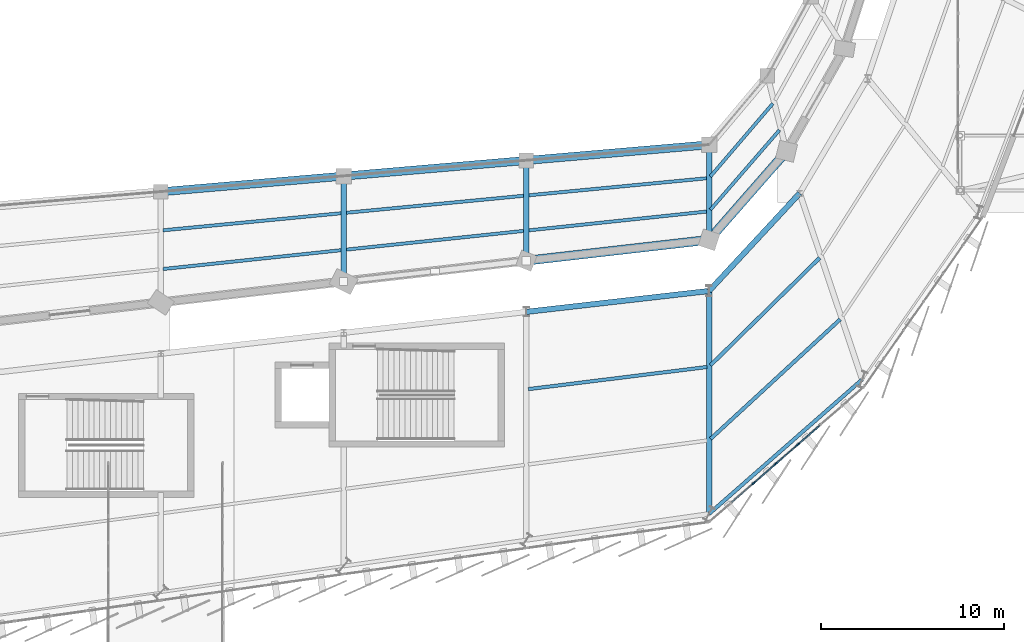
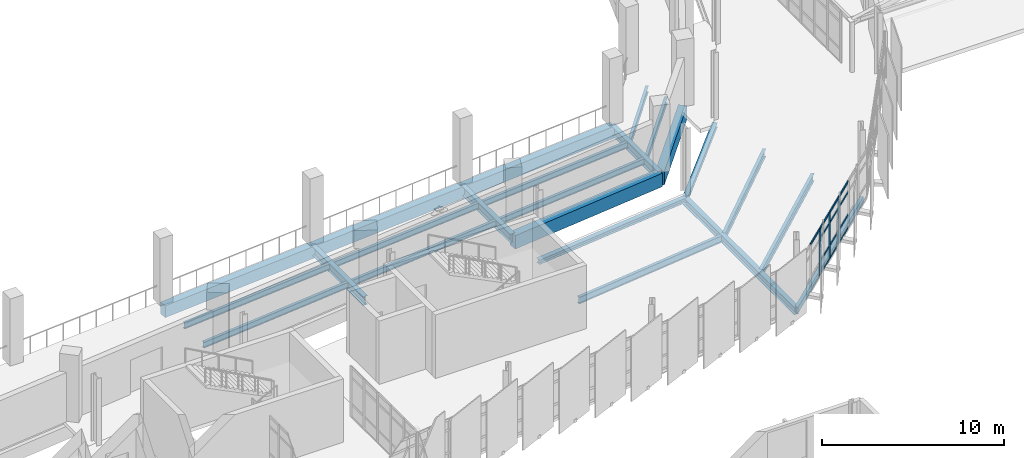
# One storey, part 65 of 125: 23 beams, 16 members, 1 element without a shape of its own.
"""IFC4 building model written with IfcOpenShell, lengths in metres."""

from ifc_helpers import new_model, si_unit, direction, frame, origin, origin_2d, place, context, subcontext, project, spatial, rectangle, hollow_rectangle, i_section, extrude, material, layer, layer_set, material_profile, profile_set, type_object, element, aggregate, save


model = new_model("IFC4")

# Units and contexts
model_context = context("Model", 3, precision=1e-05, world=origin(), true_north=direction((0.0, 1.0)))
body_context = subcontext(model_context, "Body", "Model", "MODEL_VIEW")
ifc_project = project(units=[si_unit("LENGTHUNIT", "METRE"), si_unit("AREAUNIT", "SQUARE_METRE"), si_unit("VOLUMEUNIT", "CUBIC_METRE"), si_unit("PLANEANGLEUNIT", "RADIAN"), si_unit("MASSUNIT", "GRAM", prefix="KILO")], contexts=[model_context])

# Site, building, storey
site_placement = place(None, origin())
site = spatial("IfcSite", under=ifc_project, at=site_placement, CompositionType="ELEMENT")
building_placement = place(site_placement, origin())
building = spatial("IfcBuilding", under=site, at=building_placement, Name="Sohan Crest Arena", CompositionType="ELEMENT")
storey_placement = place(building_placement, frame((0.0, 0.0, 9.0)))
storey = spatial("IfcBuildingStorey", under=building, at=storey_placement, Name="L02", CompositionType="ELEMENT", Elevation=9.0)

# Curtain wall, members
ifc_material_1 = material(Name="Thermally broken anodised aluminium", Category="aluminium")
ifc_layer = layer(ifc_material_1, 0.199951171875, Name="Thermally broken anodised aluminium")
ifc_layer_set = layer_set([ifc_layer], Name="Thermally broken anodised aluminium")
curtain_wall_type = type_object("IfcCurtainWallType", Name="ARC-CW02", PredefinedType="NOTDEFINED", material=ifc_layer_set)
curtain_wall_placement = place(storey_placement, origin())
curtain_wall = element("IfcCurtainWall", 1, at=curtain_wall_placement, inside=storey, type_object=curtain_wall_type, Name="Unitised curtain wall CW-067", PredefinedType="NOTDEFINED")
ifc_material_profile_1 = material_profile(ifc_material_1, rectangle(XDim=0.074951171875, YDim=0.219970703125, at=origin_2d()), Name="ALU-MULL 75x220")
ifc_profile_set_1 = profile_set([ifc_material_profile_1], Name="Thermally broken anodised aluminium")
member_type_1 = type_object("IfcMemberType", Name="ARC-CW-ML04", PredefinedType="MULLION", material=ifc_profile_set_1)
member_1_placement = place(storey_placement, frame((170.431396484375, 41.672119140625, 0.0), z_axis=(0.0, 0.0, 1.0), x_axis=(-0.657538815294, 0.753420670265, 0.0)))
member_1 = element("IfcMember", 2, at=member_1_placement, type_object=member_type_1, Name="CW-067 mullion 3", PredefinedType="MULLION", context=body_context, shape_type="SweptSolid", body=[
    extrude(rectangle(XDim=0.074951171875, YDim=0.219970703125, at=origin_2d()), origin(), (0.0, 0.0, 1.0), 3.1201171875),
])
member_2_placement = place(storey_placement, frame((171.647216796875, 42.73291015625, 0.0), z_axis=(0.0, 0.0, 1.0), x_axis=(-0.657538815294, 0.753420670265, 0.0)))
member_2 = element("IfcMember", 3, at=member_2_placement, type_object=member_type_1, Name="CW-067 mullion 4", PredefinedType="MULLION", context=body_context, shape_type="SweptSolid", body=[
    extrude(rectangle(XDim=0.074951171875, YDim=0.219970703125, at=origin_2d()), origin(), (0.0, 0.0, 1.0), 3.1201171875),
])
member_3_placement = place(storey_placement, frame((172.86279296875, 43.7939453125, 0.0), z_axis=(0.0, 0.0, 1.0), x_axis=(-0.657538815294, 0.753420670265, 0.0)))
member_3 = element("IfcMember", 4, at=member_3_placement, type_object=member_type_1, Name="CW-067 mullion 5", PredefinedType="MULLION", context=body_context, shape_type="SweptSolid", body=[
    extrude(rectangle(XDim=0.074951171875, YDim=0.219970703125, at=origin_2d()), origin(), (0.0, 0.0, 1.0), 3.1201171875),
])
ifc_material_profile_2 = material_profile(ifc_material_1, rectangle(XDim=0.06494140625, YDim=0.139892578125, at=origin_2d()), Name="ALU-TRAN 65x140")
ifc_profile_set_2 = profile_set([ifc_material_profile_2], Name="Thermally broken anodised aluminium")
member_type_2 = type_object("IfcMemberType", Name="ARC-CW-TR02", PredefinedType="USERDEFINED", material=ifc_profile_set_2)
member_4_placement = place(storey_placement, frame((169.243896484375, 40.6357421875, 3.08740234375), z_axis=(0.753401788907, 0.657560449291, 0.0), x_axis=(-0.657560449291, 0.753401788907, 0.0)))
member_4 = element("IfcMember", 5, at=member_4_placement, type_object=member_type_2, Name="CW-067 transom 2.4", ObjectType="TRANSOM", PredefinedType="USERDEFINED", context=body_context, shape_type="SweptSolid", body=[
    extrude(rectangle(XDim=0.06494140625, YDim=0.139892578125, at=origin_2d()), origin(), (0.0, 0.0, 1.0), 1.53857421875),
])
member_5_placement = place(storey_placement, frame((170.459716796875, 41.69677734375, 0.032470703125), z_axis=(0.75348040181, 0.65747036746, 0.0), x_axis=(-0.65747036746, 0.75348040181, 0.0)))
member_5 = element("IfcMember", 6, at=member_5_placement, type_object=member_type_2, Name="CW-067 transom 3.1", ObjectType="TRANSOM", PredefinedType="USERDEFINED", context=body_context, shape_type="SweptSolid", body=[
    extrude(rectangle(XDim=0.06494140625, YDim=0.139892578125, at=origin_2d()), origin(), (0.0, 0.0, 1.0), 1.538330078125),
])
member_6_placement = place(storey_placement, frame((170.459716796875, 41.69677734375, 0.89990234375), z_axis=(0.75348040181, 0.65747036746, 0.0), x_axis=(-0.65747036746, 0.75348040181, 0.0)))
member_6 = element("IfcMember", 7, at=member_6_placement, type_object=member_type_2, Name="CW-067 transom 3.2", ObjectType="TRANSOM", PredefinedType="USERDEFINED", context=body_context, shape_type="SweptSolid", body=[
    extrude(rectangle(XDim=0.06494140625, YDim=0.139892578125, at=origin_2d()), origin(), (0.0, 0.0, 1.0), 1.538330078125),
])
member_7_placement = place(storey_placement, frame((170.459716796875, 41.69677734375, 2.419921875), z_axis=(0.75348040181, 0.65747036746, 0.0), x_axis=(-0.65747036746, 0.75348040181, 0.0)))
member_7 = element("IfcMember", 8, at=member_7_placement, type_object=member_type_2, Name="CW-067 transom 3.3", ObjectType="TRANSOM", PredefinedType="USERDEFINED", context=body_context, shape_type="SweptSolid", body=[
    extrude(rectangle(XDim=0.06494140625, YDim=0.139892578125, at=origin_2d()), origin(), (0.0, 0.0, 1.0), 1.538330078125),
])
member_8_placement = place(storey_placement, frame((170.459716796875, 41.69677734375, 3.08740234375), z_axis=(0.75348040181, 0.65747036746, 0.0), x_axis=(-0.65747036746, 0.75348040181, 0.0)))
member_8 = element("IfcMember", 9, at=member_8_placement, type_object=member_type_2, Name="CW-067 transom 3.4", ObjectType="TRANSOM", PredefinedType="USERDEFINED", context=body_context, shape_type="SweptSolid", body=[
    extrude(rectangle(XDim=0.06494140625, YDim=0.139892578125, at=origin_2d()), origin(), (0.0, 0.0, 1.0), 1.538330078125),
])
member_9_placement = place(storey_placement, frame((171.67529296875, 42.757568359375, 0.032470703125), z_axis=(0.753470386587, 0.657481845024, 0.0), x_axis=(-0.657481845024, 0.753470386587, 0.0)))
member_9 = element("IfcMember", 10, at=member_9_placement, type_object=member_type_2, Name="CW-067 transom 4.1", ObjectType="TRANSOM", PredefinedType="USERDEFINED", context=body_context, shape_type="SweptSolid", body=[
    extrude(rectangle(XDim=0.06494140625, YDim=0.139892578125, at=origin_2d()), origin(), (0.0, 0.0, 1.0), 1.538818359375),
])
member_10_placement = place(storey_placement, frame((171.67529296875, 42.757568359375, 0.89990234375), z_axis=(0.753470386587, 0.657481845024, 0.0), x_axis=(-0.657481845024, 0.753470386587, 0.0)))
member_10 = element("IfcMember", 11, at=member_10_placement, type_object=member_type_2, Name="CW-067 transom 4.2", ObjectType="TRANSOM", PredefinedType="USERDEFINED", context=body_context, shape_type="SweptSolid", body=[
    extrude(rectangle(XDim=0.06494140625, YDim=0.139892578125, at=origin_2d()), origin(), (0.0, 0.0, 1.0), 1.538818359375),
])
member_11_placement = place(storey_placement, frame((171.67529296875, 42.757568359375, 2.419921875), z_axis=(0.753470386587, 0.657481845024, 0.0), x_axis=(-0.657481845024, 0.753470386587, 0.0)))
member_11 = element("IfcMember", 12, at=member_11_placement, type_object=member_type_2, Name="CW-067 transom 4.3", ObjectType="TRANSOM", PredefinedType="USERDEFINED", context=body_context, shape_type="SweptSolid", body=[
    extrude(rectangle(XDim=0.06494140625, YDim=0.139892578125, at=origin_2d()), origin(), (0.0, 0.0, 1.0), 1.538818359375),
])
member_12_placement = place(storey_placement, frame((171.67529296875, 42.757568359375, 3.08740234375), z_axis=(0.753470386587, 0.657481845024, 0.0), x_axis=(-0.657481845024, 0.753470386587, 0.0)))
member_12 = element("IfcMember", 13, at=member_12_placement, type_object=member_type_2, Name="CW-067 transom 4.4", ObjectType="TRANSOM", PredefinedType="USERDEFINED", context=body_context, shape_type="SweptSolid", body=[
    extrude(rectangle(XDim=0.06494140625, YDim=0.139892578125, at=origin_2d()), origin(), (0.0, 0.0, 1.0), 1.538818359375),
])
member_13_placement = place(storey_placement, frame((172.89111328125, 43.818603515625, 0.032470703125), z_axis=(0.753401788907, 0.657560449291, 0.0), x_axis=(-0.657560449291, 0.753401788907, 0.0)))
member_13 = element("IfcMember", 14, at=member_13_placement, type_object=member_type_2, Name="CW-067 transom 5.1", ObjectType="TRANSOM", PredefinedType="USERDEFINED", context=body_context, shape_type="SweptSolid", body=[
    extrude(rectangle(XDim=0.06494140625, YDim=0.139892578125, at=origin_2d()), origin(), (0.0, 0.0, 1.0), 1.53857421875),
])
member_14_placement = place(storey_placement, frame((172.89111328125, 43.818603515625, 0.89990234375), z_axis=(0.753401788907, 0.657560449291, 0.0), x_axis=(-0.657560449291, 0.753401788907, 0.0)))
member_14 = element("IfcMember", 15, at=member_14_placement, type_object=member_type_2, Name="CW-067 transom 5.2", ObjectType="TRANSOM", PredefinedType="USERDEFINED", context=body_context, shape_type="SweptSolid", body=[
    extrude(rectangle(XDim=0.06494140625, YDim=0.139892578125, at=origin_2d()), origin(), (0.0, 0.0, 1.0), 1.53857421875),
])
member_15_placement = place(storey_placement, frame((172.89111328125, 43.818603515625, 2.419921875), z_axis=(0.753401788907, 0.657560449291, 0.0), x_axis=(-0.657560449291, 0.753401788907, 0.0)))
member_15 = element("IfcMember", 16, at=member_15_placement, type_object=member_type_2, Name="CW-067 transom 5.3", ObjectType="TRANSOM", PredefinedType="USERDEFINED", context=body_context, shape_type="SweptSolid", body=[
    extrude(rectangle(XDim=0.06494140625, YDim=0.139892578125, at=origin_2d()), origin(), (0.0, 0.0, 1.0), 1.53857421875),
])
member_16_placement = place(storey_placement, frame((172.89111328125, 43.818603515625, 3.08740234375), z_axis=(0.753401788907, 0.657560449291, 0.0), x_axis=(-0.657560449291, 0.753401788907, 0.0)))
member_16 = element("IfcMember", 17, at=member_16_placement, type_object=member_type_2, Name="CW-067 transom 5.4", ObjectType="TRANSOM", PredefinedType="USERDEFINED", context=body_context, shape_type="SweptSolid", body=[
    extrude(rectangle(XDim=0.06494140625, YDim=0.139892578125, at=origin_2d()), origin(), (0.0, 0.0, 1.0), 1.53857421875),
])
aggregate(curtain_wall, [member_1, member_2, member_3, member_4, member_5, member_6, member_7, member_8, member_9, member_10, member_11, member_12, member_13, member_14, member_15, member_16])

# Beams
ifc_material_2 = material(Name="Steel S355", Category="steel")
ifc_material_profile_3 = material_profile(ifc_material_2, i_section(OverallWidth=0.179931640625, OverallDepth=0.39990234375, WebThickness=0.008544921875, FlangeThickness=0.013427734375, at=origin_2d()), Name="IPE 400")
ifc_profile_set_3 = profile_set([ifc_material_profile_3], Name="Steel S355")
beam_type_1 = type_object("IfcBeamType", Name="STR-BM-B03", PredefinedType="JOIST", material=ifc_profile_set_3)
beam_1_placement = place(storey_placement, frame((138.10888671875, 55.51904296875, -0.449951171875), z_axis=(0.995443739336, 0.095350730547, 0.0), x_axis=(-0.095350730547, 0.995443739336, 0.0)))
element("IfcBeam", 18, at=beam_1_placement, inside=storey, type_object=beam_type_1, Name="Structural beam J-L02-0424", PredefinedType="JOIST", context=body_context, shape_type="SweptSolid", body=[
    extrude(i_section(OverallWidth=0.179931640625, OverallDepth=0.39990234375, WebThickness=0.008544921875, FlangeThickness=0.013427734375, at=origin_2d()), origin(), (0.0, 0.0, 1.0), 9.826904296875),
])
beam_2_placement = place(storey_placement, frame((138.10888671875, 53.39990234375, -0.449951171875), z_axis=(0.994458024707, 0.105134376377, 0.0), x_axis=(-0.105134376377, 0.994458024707, 0.0)))
element("IfcBeam", 19, at=beam_2_placement, inside=storey, type_object=beam_type_1, Name="Structural beam J-L02-0425", PredefinedType="JOIST", context=body_context, shape_type="SweptSolid", body=[
    extrude(i_section(OverallWidth=0.179931640625, OverallDepth=0.39990234375, WebThickness=0.008544921875, FlangeThickness=0.013427734375, at=origin_2d()), origin(), (0.0, 0.0, 1.0), 9.836669921875),
])
beam_3_placement = place(storey_placement, frame((148.10888671875, 56.47607421875, -0.449951171875), z_axis=(0.995443739336, 0.095350730547, 0.0), x_axis=(-0.095350730547, 0.995443739336, 0.0)))
element("IfcBeam", 20, at=beam_3_placement, inside=storey, type_object=beam_type_1, Name="Structural beam J-L02-0446", PredefinedType="JOIST", context=body_context, shape_type="SweptSolid", body=[
    extrude(i_section(OverallWidth=0.179931640625, OverallDepth=0.39990234375, WebThickness=0.008544921875, FlangeThickness=0.013427734375, at=origin_2d()), origin(), (0.0, 0.0, 1.0), 9.826904296875),
])
beam_4_placement = place(storey_placement, frame((148.10888671875, 54.4580078125, -0.449951171875), z_axis=(0.994470991784, 0.105011649352, 0.0), x_axis=(-0.105011649352, 0.994470991784, 0.0)))
element("IfcBeam", 21, at=beam_4_placement, inside=storey, type_object=beam_type_1, Name="Structural beam J-L02-0447", PredefinedType="JOIST", context=body_context, shape_type="SweptSolid", body=[
    extrude(i_section(OverallWidth=0.179931640625, OverallDepth=0.39990234375, WebThickness=0.008544921875, FlangeThickness=0.013427734375, at=origin_2d()), origin(), (0.0, 0.0, 1.0), 9.836669921875),
])
beam_5_placement = place(storey_placement, frame((158.10888671875, 57.43310546875, -0.449951171875), z_axis=(0.995443739336, 0.095350730547, 0.0), x_axis=(-0.095350730547, 0.995443739336, 0.0)))
element("IfcBeam", 22, at=beam_5_placement, inside=storey, type_object=beam_type_1, Name="Structural beam J-L02-0468", PredefinedType="JOIST", context=body_context, shape_type="SweptSolid", body=[
    extrude(i_section(OverallWidth=0.179931640625, OverallDepth=0.39990234375, WebThickness=0.008544921875, FlangeThickness=0.013427734375, at=origin_2d()), origin(), (0.0, 0.0, 1.0), 9.826904296875),
])
beam_6_placement = place(storey_placement, frame((158.10888671875, 55.514892578125, -0.449951171875), z_axis=(0.994468399553, 0.105036195141, 0.0), x_axis=(-0.105036195141, 0.994468399553, 0.0)))
element("IfcBeam", 23, at=beam_6_placement, inside=storey, type_object=beam_type_1, Name="Structural beam J-L02-0469", PredefinedType="JOIST", context=body_context, shape_type="SweptSolid", body=[
    extrude(i_section(OverallWidth=0.179931640625, OverallDepth=0.39990234375, WebThickness=0.008544921875, FlangeThickness=0.013427734375, at=origin_2d()), origin(), (0.0, 0.0, 1.0), 9.836669921875),
])
beam_7_placement = place(storey_placement, frame((168.072021484375, 58.464111328125, -0.449951171875), z_axis=(0.65046216093, 0.759538660766, 0.0), x_axis=(-0.759538660766, 0.65046216093, 0.0)))
element("IfcBeam", 24, at=beam_7_placement, inside=storey, type_object=beam_type_1, Name="Structural beam J-L02-0490", PredefinedType="JOIST", context=body_context, shape_type="SweptSolid", body=[
    extrude(i_section(OverallWidth=0.179931640625, OverallDepth=0.39990234375, WebThickness=0.008544921875, FlangeThickness=0.013427734375, at=origin_2d()), origin(), (0.0, 0.0, 1.0), 5.253173828125),
])
beam_8_placement = place(storey_placement, frame((168.072021484375, 56.64306640625, -0.449951171875), z_axis=(0.655191219496, 0.755463080432, 0.0), x_axis=(-0.755463080432, 0.655191219496, 0.0)))
element("IfcBeam", 25, at=beam_8_placement, inside=storey, type_object=beam_type_1, Name="Structural beam J-L02-0491", PredefinedType="JOIST", context=body_context, shape_type="SweptSolid", body=[
    extrude(i_section(OverallWidth=0.179931640625, OverallDepth=0.39990234375, WebThickness=0.008544921875, FlangeThickness=0.013427734375, at=origin_2d()), origin(), (0.0, 0.0, 1.0), 5.775390625),
])
ifc_material_profile_4 = material_profile(ifc_material_2, i_section(OverallWidth=0.18994140625, OverallDepth=0.449951171875, WebThickness=0.009521484375, FlangeThickness=0.0146484375, at=origin_2d()), Name="IPE 450")
ifc_profile_set_4 = profile_set([ifc_material_profile_4], Name="Steel S355")
beam_type_2 = type_object("IfcBeamType", Name="STR-BM-B04", PredefinedType="JOIST", material=ifc_profile_set_4)
beam_9_placement = place(storey_placement, frame((158.10888671875, 46.825927734375, -0.47509765625), z_axis=(0.992409914467, 0.122973825131, 0.0), x_axis=(-0.122973825131, 0.992409914467, 0.0)))
element("IfcBeam", 26, at=beam_9_placement, inside=storey, type_object=beam_type_2, Name="Structural beam J-L02-1324", PredefinedType="JOIST", context=body_context, shape_type="SweptSolid", body=[
    extrude(i_section(OverallWidth=0.18994140625, OverallDepth=0.449951171875, WebThickness=0.009521484375, FlangeThickness=0.0146484375, at=origin_2d()), origin(), (0.0, 0.0, 1.0), 9.85693359375),
])
ifc_material_profile_5 = material_profile(ifc_material_2, i_section(OverallWidth=0.199951171875, OverallDepth=0.5, WebThickness=0.01025390625, FlangeThickness=0.01611328125, at=origin_2d()), Name="IPE 500")
ifc_profile_set_5 = profile_set([ifc_material_profile_5], Name="Steel S355")
beam_type_3 = type_object("IfcBeamType", Name="STR-BM-B05", PredefinedType="JOIST", material=ifc_profile_set_5)
beam_10_placement = place(storey_placement, frame((168.077880859375, 48.12890625, -0.5), z_axis=(0.712580271708, 0.701590590283, 0.0), x_axis=(-0.701590590283, 0.712580271708, 0.0)))
element("IfcBeam", 27, at=beam_10_placement, inside=storey, type_object=beam_type_3, Name="Structural beam J-L02-1329", PredefinedType="JOIST", context=body_context, shape_type="SweptSolid", body=[
    extrude(i_section(OverallWidth=0.199951171875, OverallDepth=0.5, WebThickness=0.01025390625, FlangeThickness=0.01611328125, at=origin_2d()), origin(), (0.0, 0.0, 1.0), 8.375244140625),
])
beam_11_placement = place(storey_placement, frame((168.0810546875, 44.10107421875, -0.5), z_axis=(0.735036224245, 0.678027837959, 0.0), x_axis=(-0.678027837959, 0.735036224245, 0.0)))
element("IfcBeam", 28, at=beam_11_placement, inside=storey, type_object=beam_type_3, Name="Structural beam J-L02-1330", PredefinedType="JOIST", context=body_context, shape_type="SweptSolid", body=[
    extrude(i_section(OverallWidth=0.199951171875, OverallDepth=0.5, WebThickness=0.01025390625, FlangeThickness=0.01611328125, at=origin_2d()), origin(), (0.0, 0.0, 1.0), 9.648681640625),
])
ifc_material_profile_6 = material_profile(ifc_material_2, i_section(OverallWidth=0.300048828125, OverallDepth=0.590087890625, WebThickness=0.012939453125, FlangeThickness=0.02490234375, at=origin_2d()), Name="HEA 600")
ifc_profile_set_6 = profile_set([ifc_material_profile_6], Name="Steel S355")
beam_type_4 = type_object("IfcBeamType", Name="STR-BM-B11", PredefinedType="BEAM", material=ifc_profile_set_6)
beam_12_placement = place(storey_placement, frame((148.0, 58.486083984375, -0.544921875), z_axis=(0.0, -1.0, 0.0), x_axis=(1.0, 0.0, 0.0)))
element("IfcBeam", 29, at=beam_12_placement, inside=storey, type_object=beam_type_4, Name="Structural beam G-L02-0445", PredefinedType="BEAM", context=body_context, shape_type="SweptSolid", body=[
    extrude(i_section(OverallWidth=0.300048828125, OverallDepth=0.590087890625, WebThickness=0.012939453125, FlangeThickness=0.02490234375, at=origin_2d()), origin(), (0.0, 0.0, 1.0), 5.77197265625),
])
beam_13_placement = place(storey_placement, frame((158.0, 59.343017578125, -0.544921875), z_axis=(0.0, -1.0, 0.0), x_axis=(1.0, 0.0, 0.0)))
element("IfcBeam", 30, at=beam_13_placement, inside=storey, type_object=beam_type_4, Name="Structural beam G-L02-0467", PredefinedType="BEAM", context=body_context, shape_type="SweptSolid", body=[
    extrude(i_section(OverallWidth=0.300048828125, OverallDepth=0.590087890625, WebThickness=0.012939453125, FlangeThickness=0.02490234375, at=origin_2d()), origin(), (0.0, 0.0, 1.0), 5.486083984375),
])
beam_14_placement = place(storey_placement, frame((168.0, 60.199951171875, -0.544921875), z_axis=(0.0, -1.0, 0.0), x_axis=(1.0, 0.0, 0.0)))
element("IfcBeam", 31, at=beam_14_placement, inside=storey, type_object=beam_type_4, Name="Structural beam G-L02-0489", PredefinedType="BEAM", context=body_context, shape_type="SweptSolid", body=[
    extrude(i_section(OverallWidth=0.300048828125, OverallDepth=0.590087890625, WebThickness=0.012939453125, FlangeThickness=0.02490234375, at=origin_2d()), origin(), (0.0, 0.0, 1.0), 5.199951171875),
])
ifc_material_profile_7 = material_profile(ifc_material_2, i_section(OverallWidth=0.300048828125, OverallDepth=0.300048828125, WebThickness=0.010986328125, FlangeThickness=0.01904296875, at=origin_2d()), Name="HEB 300")
ifc_profile_set_7 = profile_set([ifc_material_profile_7], Name="Steel S355")
beam_type_5 = type_object("IfcBeamType", Name="STR-BM-B12", PredefinedType="BEAM", material=ifc_profile_set_7)
beam_15_placement = place(storey_placement, frame((158.0, 51.056884765625, -0.39990234375), z_axis=(0.99353032697, 0.113567114035, 0.0), x_axis=(-0.113567114035, 0.99353032697, 0.0)))
element("IfcBeam", 32, at=beam_15_placement, inside=storey, type_object=beam_type_5, Name="Structural beam G-L02-1322", PredefinedType="BEAM", context=body_context, shape_type="SweptSolid", body=[
    extrude(i_section(OverallWidth=0.300048828125, OverallDepth=0.300048828125, WebThickness=0.010986328125, FlangeThickness=0.01904296875, at=origin_2d()), origin(), (0.0, 0.0, 1.0), 10.065185546875),
])
beam_16_placement = place(storey_placement, frame((168.0, 52.199951171875, -0.39990234375), z_axis=(0.680135214567, 0.733086686488, 0.0), x_axis=(-0.733086686488, 0.680135214567, 0.0)))
element("IfcBeam", 33, at=beam_16_placement, inside=storey, type_object=beam_type_5, Name="Structural beam G-L02-1327", PredefinedType="BEAM", context=body_context, shape_type="SweptSolid", body=[
    extrude(i_section(OverallWidth=0.300048828125, OverallDepth=0.300048828125, WebThickness=0.010986328125, FlangeThickness=0.01904296875, at=origin_2d()), origin(), (0.0, 0.0, 1.0), 7.2939453125),
])
ifc_material_profile_8 = material_profile(ifc_material_2, i_section(OverallWidth=0.300048828125, OverallDepth=0.5, WebThickness=0.014404296875, FlangeThickness=0.028076171875, at=origin_2d()), Name="HEB 500")
ifc_profile_set_8 = profile_set([ifc_material_profile_8], Name="Steel S355")
beam_type_6 = type_object("IfcBeamType", Name="STR-BM-B14", PredefinedType="BEAM", material=ifc_profile_set_8)
beam_17_placement = place(storey_placement, frame((168.0, 52.199951171875, -0.5), z_axis=(0.0, -1.0, 0.0), x_axis=(1.0, 0.0, 0.0)))
element("IfcBeam", 34, at=beam_17_placement, inside=storey, type_object=beam_type_6, Name="Structural beam G-L02-1326", PredefinedType="BEAM", context=body_context, shape_type="SweptSolid", body=[
    extrude(i_section(OverallWidth=0.300048828125, OverallDepth=0.5, WebThickness=0.014404296875, FlangeThickness=0.028076171875, at=origin_2d()), origin(), (0.0, 0.0, 1.0), 12.199951171875),
])
ifc_material_profile_9 = material_profile(ifc_material_2, hollow_rectangle(XDim=0.199951171875, YDim=0.39990234375, WallThickness=0.012451171875, at=origin_2d()), Name="RHS 400x200x12.5")
ifc_profile_set_9 = profile_set([ifc_material_profile_9], Name="Steel S355")
beam_type_7 = type_object("IfcBeamType", Name="STR-BM-SP05", PredefinedType="SPANDREL", material=ifc_profile_set_9)
beam_18_placement = place(storey_placement, frame((168.0, 40.0, -0.449951171875), z_axis=(0.751695897988, 0.659509876308, 0.0), x_axis=(-0.659509876308, 0.751695897988, 0.0)))
element("IfcBeam", 35, at=beam_18_placement, inside=storey, type_object=beam_type_7, Name="Structural beam SP-L02-1328", PredefinedType="SPANDREL", context=body_context, shape_type="SweptSolid", body=[
    extrude(hollow_rectangle(XDim=0.199951171875, YDim=0.39990234375, WallThickness=0.012451171875, at=origin_2d()), origin(), (0.0, 0.0, 1.0), 11.152099609375),
])
ifc_material_3 = material(Name="Concrete C40/50", Category="concrete")
ifc_material_profile_10 = material_profile(ifc_material_3, rectangle(XDim=0.449951171875, YDim=0.800048828125, at=origin_2d()), Name="RC-BM 450x800")
ifc_profile_set_10 = profile_set([ifc_material_profile_10], Name="Concrete C40/50")
beam_type_8 = type_object("IfcBeamType", Name="STR-BM-TB02", PredefinedType="BEAM", material=ifc_profile_set_10)
for number, where, z_axis, x_axis, name in (
    (36, (138.0, 57.62890625, -0.64990234375), (0.996346353353, 0.085404590982, 0.0), (-0.085404590982, 0.996346353353, 0.0), "Structural beam TB-L02-0421"),
    (37, (148.0, 58.486083984375, -0.64990234375), (0.996348422929, 0.085380443469, 0.0), (-0.085380443469, 0.996348422929, 0.0), "Structural beam TB-L02-0443"),
    (38, (158.0, 59.343017578125, -0.64990234375), (0.996348422929, 0.085380443469, 0.0), (-0.085380443469, 0.996348422929, 0.0), "Structural beam TB-L02-0465"),
):
    element("IfcBeam", number, at=place(storey_placement, frame(where, z_axis=z_axis, x_axis=x_axis)), inside=storey, type_object=beam_type_8, Name=name, PredefinedType="BEAM", context=body_context, shape_type="SweptSolid", body=[
        extrude(rectangle(XDim=0.449951171875, YDim=0.800048828125, at=origin_2d()), origin(), (0.0, 0.0, 1.0), 10.03662109375),
    ])
ifc_material_profile_11 = material_profile(ifc_material_3, rectangle(XDim=0.5, YDim=0.89990234375, at=origin_2d()), Name="RC-BM 500x900")
ifc_profile_set_11 = profile_set([ifc_material_profile_11], Name="Concrete C40/50")
beam_type_9 = type_object("IfcBeamType", Name="STR-BM-TB03", PredefinedType="BEAM", material=ifc_profile_set_11)
beam_19_placement = place(storey_placement, frame((158.0, 53.85693359375, -0.699951171875), z_axis=(0.99353032697, 0.113567114035, 0.0), x_axis=(-0.113567114035, 0.99353032697, 0.0)))
element("IfcBeam", 39, at=beam_19_placement, inside=storey, type_object=beam_type_9, Name="Structural beam TB-L02-0466", PredefinedType="BEAM", context=body_context, shape_type="SweptSolid", body=[
    extrude(rectangle(XDim=0.5, YDim=0.89990234375, at=origin_2d()), origin(), (0.0, 0.0, 1.0), 10.065185546875),
])
beam_20_placement = place(storey_placement, frame((168.0, 55.0, -0.699951171875), z_axis=(0.658743407002, 0.752367678553, 0.0), x_axis=(-0.752367678553, 0.658743407002, 0.0)))
element("IfcBeam", 40, at=beam_20_placement, inside=storey, type_object=beam_type_9, Name="Structural beam TB-L02-0488", PredefinedType="BEAM", context=body_context, shape_type="SweptSolid", body=[
    extrude(rectangle(XDim=0.5, YDim=0.89990234375, at=origin_2d()), origin(), (0.0, 0.0, 1.0), 6.44091796875),
])

save(model, "model.ifc")
